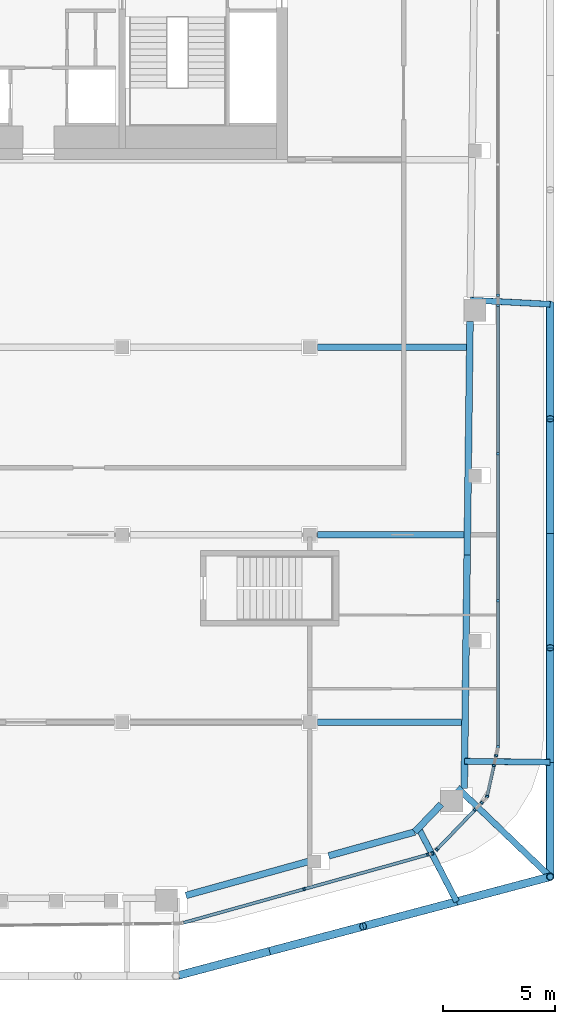
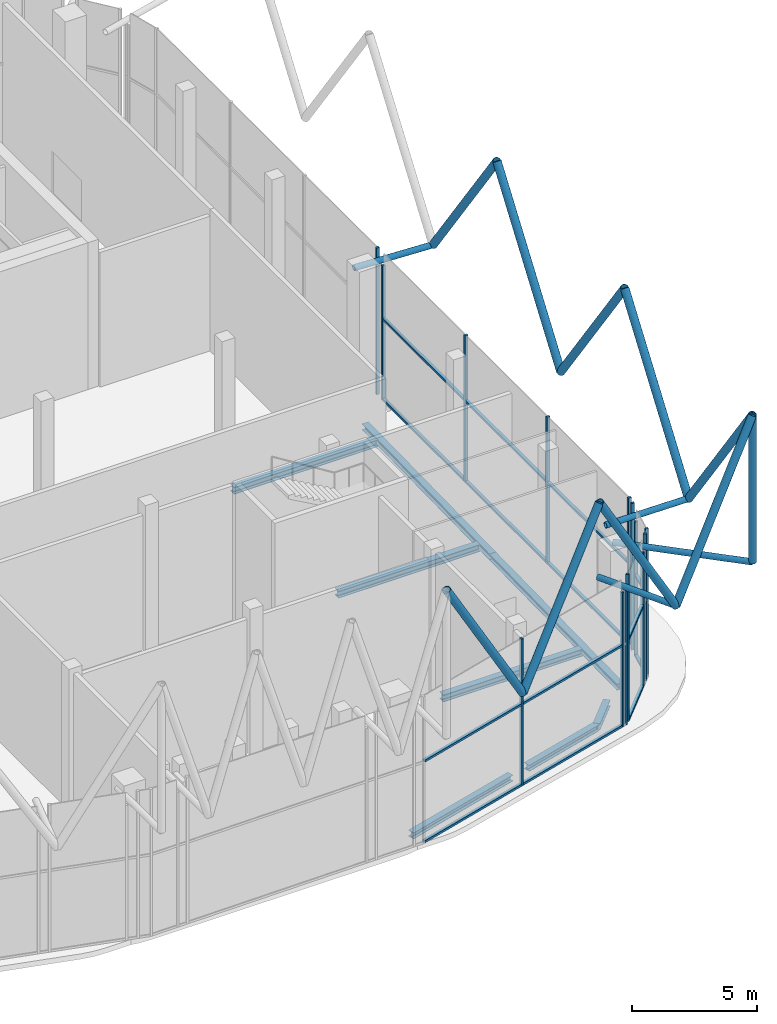
# One storey, part 5 of 25: 42 members, 8 beams, 11 elements without a shape of their own.
"""IFC4 building model written with IfcOpenShell, lengths in metres."""

from ifc_helpers import new_model, si_unit, direction, frame, origin, origin_2d, place, context, subcontext, project, spatial, rectangle, hollow_circle, i_section, extrude, material, layer, layer_set, material_profile, profile_set, type_object, element, aggregate, save


model = new_model("IFC4")

# Units and contexts
model_context = context("Model", 3, precision=1e-05, world=origin(), true_north=direction((0.0, 1.0)))
body_context = subcontext(model_context, "Body", "Model", "MODEL_VIEW")
ifc_project = project(units=[si_unit("LENGTHUNIT", "METRE"), si_unit("AREAUNIT", "SQUARE_METRE"), si_unit("VOLUMEUNIT", "CUBIC_METRE"), si_unit("PLANEANGLEUNIT", "RADIAN"), si_unit("MASSUNIT", "GRAM", prefix="KILO")], contexts=[model_context])

# Site, building, storey
site_placement = place(None, origin())
site = spatial("IfcSite", under=ifc_project, at=site_placement, CompositionType="ELEMENT")
building_placement = place(site_placement, origin())
building = spatial("IfcBuilding", under=site, at=building_placement, Name="Marenta Gate Hotel Tower", CompositionType="ELEMENT")
storey_placement = place(building_placement, frame((0.0, 0.0, 281.300048828125)))
storey = spatial("IfcBuildingStorey", under=building, at=storey_placement, Name="L65", CompositionType="ELEMENT", Elevation=281.300048828125)

# Members
ifc_material_1 = material(Name="Steel S355J2W", Category="steel")
ifc_material_profile_1 = material_profile(ifc_material_1, hollow_circle(Radius=0.161865234375, WallThickness=0.012451171875, at=origin_2d()), Name="CHS 323.9x12.5")
ifc_profile_set_1 = profile_set([ifc_material_profile_1], Name="Steel S355J2W")
member_type_1 = type_object("IfcMemberType", Name="Diagrid corner post C CHS 323.9x12.5", PredefinedType="POST", material=ifc_profile_set_1)
member_1_placement = place(storey_placement, frame((23.3701171875, -32.123291015625, 6.739990234375), z_axis=(0.0, 0.0, 1.0), x_axis=(1.0, 0.0, 0.0)))
element("IfcMember", 1, at=member_1_placement, inside=storey, type_object=member_type_1, Name="L65-DR-2", PredefinedType="POST", context=body_context, shape_type="SweptSolid", body=[
    extrude(hollow_circle(Radius=0.161865234375, WallThickness=0.012451171875, at=origin_2d()), origin(), (0.0, 0.0, 1.0), 7.199951171875),
])
ifc_material_2 = material(Name="Steel S355J2W", Category="steel")
ifc_material_profile_2 = material_profile(ifc_material_2, hollow_circle(Radius=0.177734375, WallThickness=0.01611328125, at=origin_2d()), Name="CHS 355.6x16")
ifc_profile_set_2 = profile_set([ifc_material_profile_2], Name="Steel S355J2W")
member_type_2 = type_object("IfcMemberType", Name="Diagrid diagonal C CHS 355.6x16", PredefinedType="BRACE", material=ifc_profile_set_2)
for number, where, z_axis, x_axis, name in (
    (2, (23.3701171875, -6.4765625, 6.739990234375), (0.0, -0.580231970533, 0.81445126335), (1.0, 0.0, 0.0), "L65-DG-6"),
    (3, (23.3701171875, -16.7353515625, 6.739990234375), (0.0, 0.580231970533, 0.81445126335), (-1.0, 0.0, 0.0), "L65-DG-7"),
):
    element("IfcMember", number, at=place(storey_placement, frame(where, z_axis=z_axis, x_axis=x_axis)), inside=storey, type_object=member_type_2, Name=name, PredefinedType="BRACE", context=body_context, shape_type="SweptSolid", body=[
        extrude(hollow_circle(Radius=0.177734375, WallThickness=0.01611328125, at=origin_2d()), origin(), (0.0, 0.0, 1.0), 8.84033203125),
    ])
member_2_placement = place(storey_placement, frame((23.3701171875, -16.7353515625, 6.739990234375), z_axis=(0.0, -0.580213650922, 0.81446431431), x_axis=(1.0, 0.0, 0.0)))
element("IfcMember", 4, at=member_2_placement, inside=storey, type_object=member_type_2, Name="L65-DG-8", PredefinedType="BRACE", context=body_context, shape_type="SweptSolid", body=[
    extrude(hollow_circle(Radius=0.177734375, WallThickness=0.01611328125, at=origin_2d()), origin(), (0.0, 0.0, 1.0), 8.840087890625),
])
for number, where, z_axis, x_axis, name in (
    (5, (23.3701171875, -26.993896484375, 6.739990234375), (0.0, 0.580231970533, 0.81445126335), (-1.0, 0.0, 0.0), "L65-DG-9"),
    (6, (23.3701171875, -26.993896484375, 6.739990234375), (0.0, -0.580231970533, 0.81445126335), (1.0, 0.0, 0.0), "L65-DG-10"),
):
    element("IfcMember", number, at=place(storey_placement, frame(where, z_axis=z_axis, x_axis=x_axis)), inside=storey, type_object=member_type_2, Name=name, PredefinedType="BRACE", context=body_context, shape_type="SweptSolid", body=[
        extrude(hollow_circle(Radius=0.177734375, WallThickness=0.01611328125, at=origin_2d()), origin(), (0.0, 0.0, 1.0), 8.84033203125),
    ])
member_3_placement = place(storey_placement, frame((19.1796875, -33.23486328125, 6.739990234375), z_axis=(0.498597206891, 0.132260142331, 0.856684352624), x_axis=(-0.256397119721, 0.966571527099, 0.0)))
element("IfcMember", 7, at=member_3_placement, inside=storey, type_object=member_type_2, Name="L65-DG-11", PredefinedType="BRACE", context=body_context, shape_type="SweptSolid", body=[
    extrude(hollow_circle(Radius=0.177734375, WallThickness=0.01611328125, at=origin_2d()), origin(), (0.0, 0.0, 1.0), 8.404541015625),
])
for number, where, z_axis, x_axis, name in (
    (8, (19.1796875, -33.23486328125, 6.739990234375), (-0.498573463173, -0.132290599038, 0.856693468649), (0.256463689668, -0.966553866001, 0.0), "L65-DG-12"),
    (9, (10.79931640625, -35.458251953125, 6.739990234375), (0.498575378967, 0.132262057941, 0.856696760538), (-0.256411076507, 0.966567824751, 0.0), "L65-DG-13"),
):
    element("IfcMember", number, at=place(storey_placement, frame(where, z_axis=z_axis, x_axis=x_axis)), inside=storey, type_object=member_type_2, Name=name, PredefinedType="BRACE", context=body_context, shape_type="SweptSolid", body=[
        extrude(hollow_circle(Radius=0.177734375, WallThickness=0.01611328125, at=origin_2d()), origin(), (0.0, 0.0, 1.0), 8.404296875),
    ])
member_4_placement = place(storey_placement, frame((10.79931640625, -35.458251953125, 6.739990234375), z_axis=(-0.498595291069, -0.13228868303, 0.856681060878), x_axis=(0.256449730421, -0.966557569815, 0.0)))
element("IfcMember", 10, at=member_4_placement, inside=storey, type_object=member_type_2, Name="L65-DG-14", PredefinedType="BRACE", context=body_context, shape_type="SweptSolid", body=[
    extrude(hollow_circle(Radius=0.177734375, WallThickness=0.01611328125, at=origin_2d()), origin(), (0.0, 0.0, 1.0), 8.404541015625),
])

# Beams
ifc_material_3 = material(Name="Steel S355", Category="steel")
ifc_material_profile_3 = material_profile(ifc_material_3, i_section(OverallWidth=0.300048828125, OverallDepth=0.300048828125, WebThickness=0.010986328125, FlangeThickness=0.01904296875, FilletRadius=0.027099609375, at=origin_2d()), Name="HEB 300")
ifc_profile_set_3 = profile_set([ifc_material_profile_3], Name="Steel S355")
beam_type_1 = type_object("IfcBeamType", Name="Edge beam HEB 300", PredefinedType="SPANDREL", material=ifc_profile_set_3)
beam_1_placement = place(storey_placement, frame((19.778076171875, -7.25, -0.41015625), z_axis=(-0.012344450234, -0.999923804371, 0.0), x_axis=(0.999923804371, -0.012344450234, 0.0)))
element("IfcBeam", 11, at=beam_1_placement, inside=storey, type_object=beam_type_1, Name="L65-EB-23", PredefinedType="SPANDREL", context=body_context, shape_type="SweptSolid", body=[
    extrude(i_section(OverallWidth=0.300048828125, OverallDepth=0.300048828125, WebThickness=0.010986328125, FlangeThickness=0.01904296875, FilletRadius=0.027099609375, at=origin_2d()), origin(), (0.0, 0.0, 1.0), 10.462158203125),
])
beam_2_placement = place(storey_placement, frame((19.64892578125, -17.71142578125, -0.41015625), z_axis=(-0.012344162199, -0.999923807927, 0.0), x_axis=(0.999923807927, -0.012344162199, 0.0)))
element("IfcBeam", 12, at=beam_2_placement, inside=storey, type_object=beam_type_1, Name="L65-EB-24", PredefinedType="SPANDREL", context=body_context, shape_type="SweptSolid", body=[
    extrude(i_section(OverallWidth=0.300048828125, OverallDepth=0.300048828125, WebThickness=0.010986328125, FlangeThickness=0.01904296875, FilletRadius=0.027099609375, at=origin_2d()), origin(), (0.0, 0.0, 1.0), 10.46240234375),
])
beam_3_placement = place(storey_placement, frame((18.49072265625, -28.875244140625, -0.41015625), z_axis=(-0.692584894431, -0.721336373689, 0.0), x_axis=(0.721336373689, -0.692584894431, 0.0)))
element("IfcBeam", 13, at=beam_3_placement, inside=storey, type_object=beam_type_1, Name="L65-EB-25", PredefinedType="SPANDREL", context=body_context, shape_type="SweptSolid", body=[
    extrude(i_section(OverallWidth=0.300048828125, OverallDepth=0.300048828125, WebThickness=0.010986328125, FlangeThickness=0.01904296875, FilletRadius=0.027099609375, at=origin_2d()), origin(), (0.0, 0.0, 1.0), 1.723876953125),
])
beam_4_placement = place(storey_placement, frame((17.296875, -30.11865234375, -0.41015625), z_axis=(-0.963624581136, -0.267259549186, 0.0), x_axis=(0.267259549186, -0.963624581136, 0.0)))
element("IfcBeam", 14, at=beam_4_placement, inside=storey, type_object=beam_type_1, Name="L65-EB-26", PredefinedType="SPANDREL", context=body_context, shape_type="SweptSolid", body=[
    extrude(i_section(OverallWidth=0.300048828125, OverallDepth=0.300048828125, WebThickness=0.010986328125, FlangeThickness=0.01904296875, FilletRadius=0.027099609375, at=origin_2d()), origin(), (0.0, 0.0, 1.0), 3.99755859375),
])
beam_5_placement = place(storey_placement, frame((12.54541015625, -31.4365234375, -0.41015625), z_axis=(-0.9636227992, -0.267265974008, 0.0), x_axis=(0.267265974008, -0.9636227992, 0.0)))
element("IfcBeam", 15, at=beam_5_placement, inside=storey, type_object=beam_type_1, Name="L65-EB-27", PredefinedType="SPANDREL", context=body_context, shape_type="SweptSolid", body=[
    extrude(i_section(OverallWidth=0.300048828125, OverallDepth=0.300048828125, WebThickness=0.010986328125, FlangeThickness=0.01904296875, FilletRadius=0.027099609375, at=origin_2d()), origin(), (0.0, 0.0, 1.0), 5.6982421875),
])

# Members
ifc_material_4 = material(Name="Steel S355J2W", Category="steel")
ifc_material_profile_4 = material_profile(ifc_material_4, hollow_circle(Radius=0.136474609375, WallThickness=0.012451171875, at=origin_2d()), Name="CHS 273x12.5")
ifc_profile_set_4 = profile_set([ifc_material_profile_4], Name="Steel S355J2W")
member_type_3 = type_object("IfcMemberType", Name="Floor tie CHS 273x12.5", PredefinedType="STRUT", material=ifc_profile_set_4)
member_5_placement = place(storey_placement, frame((23.3701171875, -6.4765625, 6.739990234375), z_axis=(-0.998645013768, 0.052039758606, 0.0), x_axis=(-0.052039758606, -0.998645013768, 0.0)))
element("IfcMember", 16, at=member_5_placement, inside=storey, type_object=member_type_3, Name="L65-DR-9", PredefinedType="STRUT", context=body_context, shape_type="SweptSolid", body=[
    extrude(hollow_circle(Radius=0.136474609375, WallThickness=0.012451171875, at=origin_2d()), origin(), (0.0, 0.0, 1.0), 3.57958984375),
])
member_6_placement = place(storey_placement, frame((23.3701171875, -26.993896484375, 6.739990234375), z_axis=(-0.999923538316, 0.012365982433, 0.0), x_axis=(-0.012365982433, -0.999923538316, 0.0)))
element("IfcMember", 17, at=member_6_placement, inside=storey, type_object=member_type_3, Name="L65-DR-10", PredefinedType="STRUT", context=body_context, shape_type="SweptSolid", body=[
    extrude(hollow_circle(Radius=0.136474609375, WallThickness=0.012451171875, at=origin_2d()), origin(), (0.0, 0.0, 1.0), 3.830078125),
])
member_7_placement = place(storey_placement, frame((23.3701171875, -32.123291015625, 6.739990234375), z_axis=(-0.721361926725, 0.692558279621, 0.0), x_axis=(-0.692558279621, -0.721361926725, 0.0)))
element("IfcMember", 18, at=member_7_placement, inside=storey, type_object=member_type_3, Name="L65-DR-11", PredefinedType="STRUT", context=body_context, shape_type="SweptSolid", body=[
    extrude(hollow_circle(Radius=0.136474609375, WallThickness=0.012451171875, at=origin_2d()), origin(), (0.0, 0.0, 1.0), 5.763671875),
])
member_8_placement = place(storey_placement, frame((19.1796875, -33.23486328125, 6.739990234375), z_axis=(-0.460413265089, 0.88770469489, 0.0), x_axis=(-0.88770469489, -0.460413265089, 0.0)))
element("IfcMember", 19, at=member_8_placement, inside=storey, type_object=member_type_3, Name="L65-DR-12", PredefinedType="STRUT", context=body_context, shape_type="SweptSolid", body=[
    extrude(hollow_circle(Radius=0.136474609375, WallThickness=0.012451171875, at=origin_2d()), origin(), (0.0, 0.0, 1.0), 3.70751953125),
])

# Beams
ifc_material_5 = material(Name="Steel S355", Category="steel")
ifc_material_profile_5 = material_profile(ifc_material_5, i_section(OverallWidth=0.300048828125, OverallDepth=0.340087890625, WebThickness=0.011962890625, FlangeThickness=0.021484375, FilletRadius=0.027099609375, at=origin_2d()), Name="HEB 340")
ifc_profile_set_5 = profile_set([ifc_material_profile_5], Name="Steel S355")
beam_type_2 = type_object("IfcBeamType", Name="Girder HEB 340", PredefinedType="BEAM", material=ifc_profile_set_5)
beam_6_placement = place(storey_placement, frame((12.949951171875, -25.199951171875, -0.429931640625), z_axis=(1.0, 0.0, 0.0), x_axis=(0.0, 1.0, 0.0)))
element("IfcBeam", 20, at=beam_6_placement, inside=storey, type_object=beam_type_2, Name="L65-GD-5", PredefinedType="BEAM", context=body_context, shape_type="SweptSolid", body=[
    extrude(i_section(OverallWidth=0.300048828125, OverallDepth=0.340087890625, WebThickness=0.011962890625, FlangeThickness=0.021484375, FilletRadius=0.027099609375, at=origin_2d()), origin(), (0.0, 0.0, 1.0), 6.45654296875),
])
beam_7_placement = place(storey_placement, frame((12.949951171875, -16.800048828125, -0.429931640625), z_axis=(1.0, 0.0, 0.0), x_axis=(0.0, 1.0, 0.0)))
element("IfcBeam", 21, at=beam_7_placement, inside=storey, type_object=beam_type_2, Name="L65-GD-10", PredefinedType="BEAM", context=body_context, shape_type="SweptSolid", body=[
    extrude(i_section(OverallWidth=0.300048828125, OverallDepth=0.340087890625, WebThickness=0.011962890625, FlangeThickness=0.021484375, FilletRadius=0.027099609375, at=origin_2d()), origin(), (0.0, 0.0, 1.0), 6.560302734375),
])
beam_8_placement = place(storey_placement, frame((12.949951171875, -8.39990234375, -0.429931640625), z_axis=(1.0, 0.0, 0.0), x_axis=(0.0, 1.0, 0.0)))
element("IfcBeam", 22, at=beam_8_placement, inside=storey, type_object=beam_type_2, Name="L65-GD-15", PredefinedType="BEAM", context=body_context, shape_type="SweptSolid", body=[
    extrude(i_section(OverallWidth=0.300048828125, OverallDepth=0.340087890625, WebThickness=0.011962890625, FlangeThickness=0.021484375, FilletRadius=0.027099609375, at=origin_2d()), origin(), (0.0, 0.0, 1.0), 6.663818359375),
])

# Curtain wall, member
ifc_material_6 = material(Name="Tinted insulated glass in bronze anodised frame", Category="glass")
ifc_layer = layer(ifc_material_6, 0.139892578125)
ifc_layer_set = layer_set([ifc_layer], Name="Tinted insulated glass in bronze anodised frame")
curtain_wall_type = type_object("IfcCurtainWallType", Name="Observation deck structural glazing CW3", PredefinedType="NOTDEFINED", material=ifc_layer_set)
curtain_wall_1_placement = place(storey_placement, origin())
curtain_wall_1 = element("IfcCurtainWall", 23, at=curtain_wall_1_placement, inside=storey, type_object=curtain_wall_type, Name="CW3 run G25", PredefinedType="NOTDEFINED")
ifc_material_7 = material(Name="Bronze anodised aluminium", Category="aluminium")
ifc_material_profile_6 = material_profile(ifc_material_7, rectangle(XDim=0.139892578125, YDim=0.10009765625, at=origin_2d()), Name="Mullion CW3 100x140 bronze anodised aluminium")
ifc_profile_set_6 = profile_set([ifc_material_profile_6], Name="Bronze anodised aluminium")
member_type_4 = type_object("IfcMemberType", Name="Mullion CW3 100x140 bronze anodised aluminium", PredefinedType="MULLION", material=ifc_profile_set_6)
member_9_placement = place(storey_placement, frame((12.344482421875, -32.677734375, 0.0), z_axis=(0.0, 0.0, 1.0), x_axis=(-0.268552612196, 0.963265017782, 0.0)))
member_9 = element("IfcMember", 24, at=member_9_placement, type_object=member_type_4, Name="CW3 mullion 2", PredefinedType="MULLION", context=body_context, shape_type="SweptSolid", body=[
    extrude(rectangle(XDim=0.139892578125, YDim=0.10009765625, at=origin_2d()), origin(), (0.0, 0.0, 1.0), 7.199951171875),
])

# Curtain wall, members
curtain_wall_2_placement = place(storey_placement, origin())
curtain_wall_2 = element("IfcCurtainWall", 25, at=curtain_wall_2_placement, inside=storey, type_object=curtain_wall_type, Name="CW3 run G26", PredefinedType="NOTDEFINED")
member_10_placement = place(storey_placement, frame((17.88916015625, -31.132080078125, 0.0), z_axis=(0.0, 0.0, 1.0), x_axis=(-0.268497747894, 0.963280311942, 0.0)))
member_10 = element("IfcMember", 26, at=member_10_placement, type_object=member_type_4, Name="CW3 mullion 1", PredefinedType="MULLION", context=body_context, shape_type="SweptSolid", body=[
    extrude(rectangle(XDim=0.139892578125, YDim=0.10009765625, at=origin_2d()), origin(), (0.0, 0.0, 1.0), 6.600341796875),
])
member_11_placement = place(storey_placement, frame((18.08935546875, -31.076171875, 0.0), z_axis=(0.0, 0.0, 1.0), x_axis=(-0.268497747894, 0.963280311942, 0.0)))
member_11 = element("IfcMember", 27, at=member_11_placement, type_object=member_type_4, Name="CW3 mullion 2", PredefinedType="MULLION", context=body_context, shape_type="SweptSolid", body=[
    extrude(rectangle(XDim=0.139892578125, YDim=0.10009765625, at=origin_2d()), origin(), (0.0, 0.0, 1.0), 6.600341796875),
])
aggregate(curtain_wall_2, [member_10, member_11])

# Curtain wall, member
curtain_wall_3_placement = place(storey_placement, origin())
curtain_wall_3 = element("IfcCurtainWall", 28, at=curtain_wall_3_placement, inside=storey, type_object=curtain_wall_type, Name="CW3 run G27", PredefinedType="NOTDEFINED")
member_12_placement = place(storey_placement, frame((18.283203125, -30.9111328125, 0.0), z_axis=(0.0, 0.0, 1.0), x_axis=(-0.721380046105, 0.692539406158, 0.0)))
member_12 = element("IfcMember", 29, at=member_12_placement, type_object=member_type_4, Name="CW3 mullion 1", PredefinedType="MULLION", context=body_context, shape_type="SweptSolid", body=[
    extrude(rectangle(XDim=0.139892578125, YDim=0.10009765625, at=origin_2d()), origin(), (0.0, 0.0, 1.0), 7.199951171875),
])

curtain_wall_4_placement = place(storey_placement, origin())
curtain_wall_4 = element("IfcCurtainWall", 30, at=curtain_wall_4_placement, inside=storey, type_object=curtain_wall_type, Name="CW3 run G28", PredefinedType="NOTDEFINED")
member_13_placement = place(storey_placement, frame((19.9951171875, -29.1279296875, 0.0), z_axis=(0.0, 0.0, 1.0), x_axis=(-0.721418199888, 0.692499661278, 0.0)))
member_13 = element("IfcMember", 31, at=member_13_placement, type_object=member_type_4, Name="CW3 mullion 1", PredefinedType="MULLION", context=body_context, shape_type="SweptSolid", body=[
    extrude(rectangle(XDim=0.139892578125, YDim=0.10009765625, at=origin_2d()), origin(), (0.0, 0.0, 1.0), 6.600341796875),
])
aggregate(curtain_wall_4, [member_13])

curtain_wall_5_placement = place(storey_placement, origin())
curtain_wall_5 = element("IfcCurtainWall", 32, at=curtain_wall_5_placement, inside=storey, type_object=curtain_wall_type, Name="CW3 run G29", PredefinedType="NOTDEFINED")
member_14_placement = place(storey_placement, frame((20.308837890625, -28.801025390625, 0.0), z_axis=(0.0, 0.0, 1.0), x_axis=(-0.721213721982, 0.692712615177, 0.0)))
member_14 = element("IfcMember", 33, at=member_14_placement, type_object=member_type_4, Name="CW3 mullion 1", PredefinedType="MULLION", context=body_context, shape_type="SweptSolid", body=[
    extrude(rectangle(XDim=0.139892578125, YDim=0.10009765625, at=origin_2d()), origin(), (0.0, 0.0, 1.0), 7.199951171875),
])
aggregate(curtain_wall_5, [member_14])

curtain_wall_6_placement = place(storey_placement, origin())
curtain_wall_6 = element("IfcCurtainWall", 34, at=curtain_wall_6_placement, inside=storey, type_object=curtain_wall_type, Name="CW3 run G30", PredefinedType="NOTDEFINED")
member_15_placement = place(storey_placement, frame((20.540283203125, -28.522705078125, 0.0), z_axis=(0.0, 0.0, 1.0), x_axis=(-0.976213640116, 0.216810813504, 0.0)))
member_15 = element("IfcMember", 35, at=member_15_placement, type_object=member_type_4, Name="CW3 mullion 1", PredefinedType="MULLION", context=body_context, shape_type="SweptSolid", body=[
    extrude(rectangle(XDim=0.139892578125, YDim=0.10009765625, at=origin_2d()), origin(), (0.0, 0.0, 1.0), 7.199951171875),
])

curtain_wall_7_placement = place(storey_placement, origin())
curtain_wall_7 = element("IfcCurtainWall", 36, at=curtain_wall_7_placement, inside=storey, type_object=curtain_wall_type, Name="CW3 run G31", PredefinedType="NOTDEFINED")
member_16_placement = place(storey_placement, frame((20.847412109375, -27.140380859375, 0.0), z_axis=(0.0, 0.0, 1.0), x_axis=(-0.976187060185, 0.216930457816, 0.0)))
member_16 = element("IfcMember", 37, at=member_16_placement, type_object=member_type_4, Name="CW3 mullion 1", PredefinedType="MULLION", context=body_context, shape_type="SweptSolid", body=[
    extrude(rectangle(XDim=0.139892578125, YDim=0.10009765625, at=origin_2d()), origin(), (0.0, 0.0, 1.0), 6.600341796875),
])
aggregate(curtain_wall_7, [member_16])

curtain_wall_8_placement = place(storey_placement, origin())
curtain_wall_8 = element("IfcCurtainWall", 38, at=curtain_wall_8_placement, inside=storey, type_object=curtain_wall_type, Name="CW3 run G32", PredefinedType="NOTDEFINED")
member_17_placement = place(storey_placement, frame((20.94775390625, -26.6884765625, 0.0), z_axis=(0.0, 0.0, 1.0), x_axis=(-0.976228029375, 0.216746014177, 0.0)))
member_17 = element("IfcMember", 39, at=member_17_placement, type_object=member_type_4, Name="CW3 mullion 1", PredefinedType="MULLION", context=body_context, shape_type="SweptSolid", body=[
    extrude(rectangle(XDim=0.139892578125, YDim=0.10009765625, at=origin_2d()), origin(), (0.0, 0.0, 1.0), 7.199951171875),
])
aggregate(curtain_wall_8, [member_17])

# Curtain wall, members
curtain_wall_9_placement = place(storey_placement, origin())
curtain_wall_9 = element("IfcCurtainWall", 40, at=curtain_wall_9_placement, inside=storey, type_object=curtain_wall_type, Name="CW3 run G33", PredefinedType="NOTDEFINED")
member_18_placement = place(storey_placement, frame((21.02392578125, -26.294921875, 0.0), z_axis=(0.0, 0.0, 1.0), x_axis=(-1.0, 0.0, 0.0)))
member_18 = element("IfcMember", 41, at=member_18_placement, type_object=member_type_4, Name="CW3 mullion 1", PredefinedType="MULLION", context=body_context, shape_type="SweptSolid", body=[
    extrude(rectangle(XDim=0.139892578125, YDim=0.10009765625, at=origin_2d()), origin(), (0.0, 0.0, 1.0), 7.199951171875),
])
member_19_placement = place(storey_placement, frame((21.02392578125, -19.757080078125, 0.0), z_axis=(0.0, 0.0, 1.0), x_axis=(-1.0, 0.0, 0.0)))
member_19 = element("IfcMember", 42, at=member_19_placement, type_object=member_type_4, Name="CW3 mullion 2", PredefinedType="MULLION", context=body_context, shape_type="SweptSolid", body=[
    extrude(rectangle(XDim=0.139892578125, YDim=0.10009765625, at=origin_2d()), origin(), (0.0, 0.0, 1.0), 7.199951171875),
])
member_20_placement = place(storey_placement, frame((21.02392578125, -13.1689453125, 0.0), z_axis=(0.0, 0.0, 1.0), x_axis=(-1.0, 0.0, 0.0)))
member_20 = element("IfcMember", 43, at=member_20_placement, type_object=member_type_4, Name="CW3 mullion 3", PredefinedType="MULLION", context=body_context, shape_type="SweptSolid", body=[
    extrude(rectangle(XDim=0.139892578125, YDim=0.10009765625, at=origin_2d()), origin(), (0.0, 0.0, 1.0), 7.199951171875),
])

# Curtain wall, member
curtain_wall_10_placement = place(storey_placement, origin())
curtain_wall_10 = element("IfcCurtainWall", 44, at=curtain_wall_10_placement, inside=storey, type_object=curtain_wall_type, Name="CW3 run G34", PredefinedType="NOTDEFINED")
member_21_placement = place(storey_placement, frame((21.02392578125, -6.531005859375, 0.0), z_axis=(0.0, 0.0, 1.0), x_axis=(-1.0, 0.0, 0.0)))
member_21 = element("IfcMember", 45, at=member_21_placement, type_object=member_type_4, Name="CW3 mullion 1", PredefinedType="MULLION", context=body_context, shape_type="SweptSolid", body=[
    extrude(rectangle(XDim=0.139892578125, YDim=0.10009765625, at=origin_2d()), origin(), (0.0, 0.0, 1.0), 6.600341796875),
])
aggregate(curtain_wall_10, [member_21])

curtain_wall_11_placement = place(storey_placement, origin())
curtain_wall_11 = element("IfcCurtainWall", 46, at=curtain_wall_11_placement, inside=storey, type_object=curtain_wall_type, Name="CW3 run G35", PredefinedType="NOTDEFINED")
member_22_placement = place(storey_placement, frame((21.02392578125, -6.077392578125, 0.0), z_axis=(0.0, 0.0, 1.0), x_axis=(-1.0, 0.0, 0.0)))
member_22 = element("IfcMember", 47, at=member_22_placement, type_object=member_type_4, Name="CW3 mullion 1", PredefinedType="MULLION", context=body_context, shape_type="SweptSolid", body=[
    extrude(rectangle(XDim=0.139892578125, YDim=0.10009765625, at=origin_2d()), origin(), (0.0, 0.0, 1.0), 7.199951171875),
])
aggregate(curtain_wall_11, [member_22])

# Member
ifc_material_8 = material(Name="Bronze anodised aluminium", Category="aluminium")
ifc_material_profile_7 = material_profile(ifc_material_8, rectangle(XDim=0.139892578125, YDim=0.10009765625, at=origin_2d()), Name="Transom CW3 100x140 bronze anodised aluminium")
ifc_profile_set_7 = profile_set([ifc_material_profile_7], Name="Bronze anodised aluminium")
member_type_5 = type_object("IfcMemberType", Name="Transom CW3 100x140 bronze anodised aluminium", PredefinedType="USERDEFINED", material=ifc_profile_set_7)
member_23_placement = place(storey_placement, frame((6.944580078125, -34.183349609375, 0.050048828125), z_axis=(0.963258716157, 0.268575214322, 0.0), x_axis=(-0.268575214322, 0.963258716157, 0.0)))
member_23 = element("IfcMember", 48, at=member_23_placement, type_object=member_type_5, Name="CW3 transom 1.1", ObjectType="TRANSOM", PredefinedType="USERDEFINED", context=body_context, shape_type="SweptSolid", body=[
    extrude(rectangle(XDim=0.139892578125, YDim=0.10009765625, at=origin_2d()), origin(), (0.0, 0.0, 1.0), 5.555908203125),
])

member_24_placement = place(storey_placement, frame((6.944580078125, -34.183349609375, 4.0), z_axis=(0.963258716157, 0.268575214322, 0.0), x_axis=(-0.268575214322, 0.963258716157, 0.0)))
member_24 = element("IfcMember", 49, at=member_24_placement, type_object=member_type_5, Name="CW3 transom 1.2", ObjectType="TRANSOM", PredefinedType="USERDEFINED", context=body_context, shape_type="SweptSolid", body=[
    extrude(rectangle(XDim=0.139892578125, YDim=0.10009765625, at=origin_2d()), origin(), (0.0, 0.0, 1.0), 5.555908203125),
])

member_25_placement = place(storey_placement, frame((12.392822265625, -32.664306640625, 0.050048828125), z_axis=(0.963268262073, 0.268540975055, 0.0), x_axis=(-0.268540975055, 0.963268262073, 0.0)))
member_25 = element("IfcMember", 50, at=member_25_placement, type_object=member_type_5, Name="CW3 transom 2.1", ObjectType="TRANSOM", PredefinedType="USERDEFINED", context=body_context, shape_type="SweptSolid", body=[
    extrude(rectangle(XDim=0.139892578125, YDim=0.10009765625, at=origin_2d()), origin(), (0.0, 0.0, 1.0), 5.65576171875),
])

member_26_placement = place(storey_placement, frame((12.392822265625, -32.664306640625, 4.0), z_axis=(0.963268262073, 0.268540975055, 0.0), x_axis=(-0.268540975055, 0.963268262073, 0.0)))
member_26 = element("IfcMember", 51, at=member_26_placement, type_object=member_type_5, Name="CW3 transom 2.2", ObjectType="TRANSOM", PredefinedType="USERDEFINED", context=body_context, shape_type="SweptSolid", body=[
    extrude(rectangle(XDim=0.139892578125, YDim=0.10009765625, at=origin_2d()), origin(), (0.0, 0.0, 1.0), 5.65576171875),
])

aggregate(curtain_wall_1, [member_9, member_23, member_24, member_25, member_26])

member_27_placement = place(storey_placement, frame((18.31787109375, -30.875244140625, 0.050048828125), z_axis=(0.692499694055, 0.721418168425, 0.0), x_axis=(-0.721418168425, 0.692499694055, 0.0)))
member_27 = element("IfcMember", 52, at=member_27_placement, type_object=member_type_5, Name="CW3 transom 1.1", ObjectType="TRANSOM", PredefinedType="USERDEFINED", context=body_context, shape_type="SweptSolid", body=[
    extrude(rectangle(XDim=0.139892578125, YDim=0.10009765625, at=origin_2d()), origin(), (0.0, 0.0, 1.0), 2.372314453125),
])

member_28_placement = place(storey_placement, frame((18.31787109375, -30.875244140625, 4.0), z_axis=(0.692499694055, 0.721418168425, 0.0), x_axis=(-0.721418168425, 0.692499694055, 0.0)))
member_28 = element("IfcMember", 53, at=member_28_placement, type_object=member_type_5, Name="CW3 transom 1.2", ObjectType="TRANSOM", PredefinedType="USERDEFINED", context=body_context, shape_type="SweptSolid", body=[
    extrude(rectangle(XDim=0.139892578125, YDim=0.10009765625, at=origin_2d()), origin(), (0.0, 0.0, 1.0), 2.372314453125),
])

aggregate(curtain_wall_3, [member_12, member_27, member_28])

member_29_placement = place(storey_placement, frame((20.55126953125, -28.473876953125, 0.050048828125), z_axis=(0.216694723954, 0.97623941562, 0.0), x_axis=(-0.97623941562, 0.216694723954, 0.0)))
member_29 = element("IfcMember", 54, at=member_29_placement, type_object=member_type_5, Name="CW3 transom 1.1", ObjectType="TRANSOM", PredefinedType="USERDEFINED", context=body_context, shape_type="SweptSolid", body=[
    extrude(rectangle(XDim=0.139892578125, YDim=0.10009765625, at=origin_2d()), origin(), (0.0, 0.0, 1.0), 1.31591796875),
])

member_30_placement = place(storey_placement, frame((20.55126953125, -28.473876953125, 4.0), z_axis=(0.216694723954, 0.97623941562, 0.0), x_axis=(-0.97623941562, 0.216694723954, 0.0)))
member_30 = element("IfcMember", 55, at=member_30_placement, type_object=member_type_5, Name="CW3 transom 1.2", ObjectType="TRANSOM", PredefinedType="USERDEFINED", context=body_context, shape_type="SweptSolid", body=[
    extrude(rectangle(XDim=0.139892578125, YDim=0.10009765625, at=origin_2d()), origin(), (0.0, 0.0, 1.0), 1.31591796875),
])

aggregate(curtain_wall_6, [member_15, member_29, member_30])

member_31_placement = place(storey_placement, frame((21.02392578125, -26.2451171875, 0.050048828125), z_axis=(0.0, 1.0, 0.0), x_axis=(-1.0, 0.0, 0.0)))
member_31 = element("IfcMember", 56, at=member_31_placement, type_object=member_type_5, Name="CW3 transom 1.1", ObjectType="TRANSOM", PredefinedType="USERDEFINED", context=body_context, shape_type="SweptSolid", body=[
    extrude(rectangle(XDim=0.139892578125, YDim=0.10009765625, at=origin_2d()), origin(), (0.0, 0.0, 1.0), 6.43798828125),
])

member_32_placement = place(storey_placement, frame((21.02392578125, -26.2451171875, 4.0), z_axis=(0.0, 1.0, 0.0), x_axis=(-1.0, 0.0, 0.0)))
member_32 = element("IfcMember", 57, at=member_32_placement, type_object=member_type_5, Name="CW3 transom 1.2", ObjectType="TRANSOM", PredefinedType="USERDEFINED", context=body_context, shape_type="SweptSolid", body=[
    extrude(rectangle(XDim=0.139892578125, YDim=0.10009765625, at=origin_2d()), origin(), (0.0, 0.0, 1.0), 6.43798828125),
])

member_33_placement = place(storey_placement, frame((21.02392578125, -19.70703125, 0.050048828125), z_axis=(0.0, 1.0, 0.0), x_axis=(-1.0, 0.0, 0.0)))
member_33 = element("IfcMember", 58, at=member_33_placement, type_object=member_type_5, Name="CW3 transom 2.1", ObjectType="TRANSOM", PredefinedType="USERDEFINED", context=body_context, shape_type="SweptSolid", body=[
    extrude(rectangle(XDim=0.139892578125, YDim=0.10009765625, at=origin_2d()), origin(), (0.0, 0.0, 1.0), 6.488037109375),
])

member_34_placement = place(storey_placement, frame((21.02392578125, -19.70703125, 4.0), z_axis=(0.0, 1.0, 0.0), x_axis=(-1.0, 0.0, 0.0)))
member_34 = element("IfcMember", 59, at=member_34_placement, type_object=member_type_5, Name="CW3 transom 2.2", ObjectType="TRANSOM", PredefinedType="USERDEFINED", context=body_context, shape_type="SweptSolid", body=[
    extrude(rectangle(XDim=0.139892578125, YDim=0.10009765625, at=origin_2d()), origin(), (0.0, 0.0, 1.0), 6.488037109375),
])

member_35_placement = place(storey_placement, frame((21.02392578125, -13.119140625, 0.050048828125), z_axis=(0.0, 1.0, 0.0), x_axis=(-1.0, 0.0, 0.0)))
member_35 = element("IfcMember", 60, at=member_35_placement, type_object=member_type_5, Name="CW3 transom 3.1", ObjectType="TRANSOM", PredefinedType="USERDEFINED", context=body_context, shape_type="SweptSolid", body=[
    extrude(rectangle(XDim=0.139892578125, YDim=0.10009765625, at=origin_2d()), origin(), (0.0, 0.0, 1.0), 6.5380859375),
])

member_36_placement = place(storey_placement, frame((21.02392578125, -13.119140625, 4.0), z_axis=(0.0, 1.0, 0.0), x_axis=(-1.0, 0.0, 0.0)))
member_36 = element("IfcMember", 61, at=member_36_placement, type_object=member_type_5, Name="CW3 transom 3.2", ObjectType="TRANSOM", PredefinedType="USERDEFINED", context=body_context, shape_type="SweptSolid", body=[
    extrude(rectangle(XDim=0.139892578125, YDim=0.10009765625, at=origin_2d()), origin(), (0.0, 0.0, 1.0), 6.5380859375),
])

aggregate(curtain_wall_9, [member_18, member_19, member_20, member_31, member_32, member_33, member_34, member_35, member_36])

save(model, "model.ifc")
